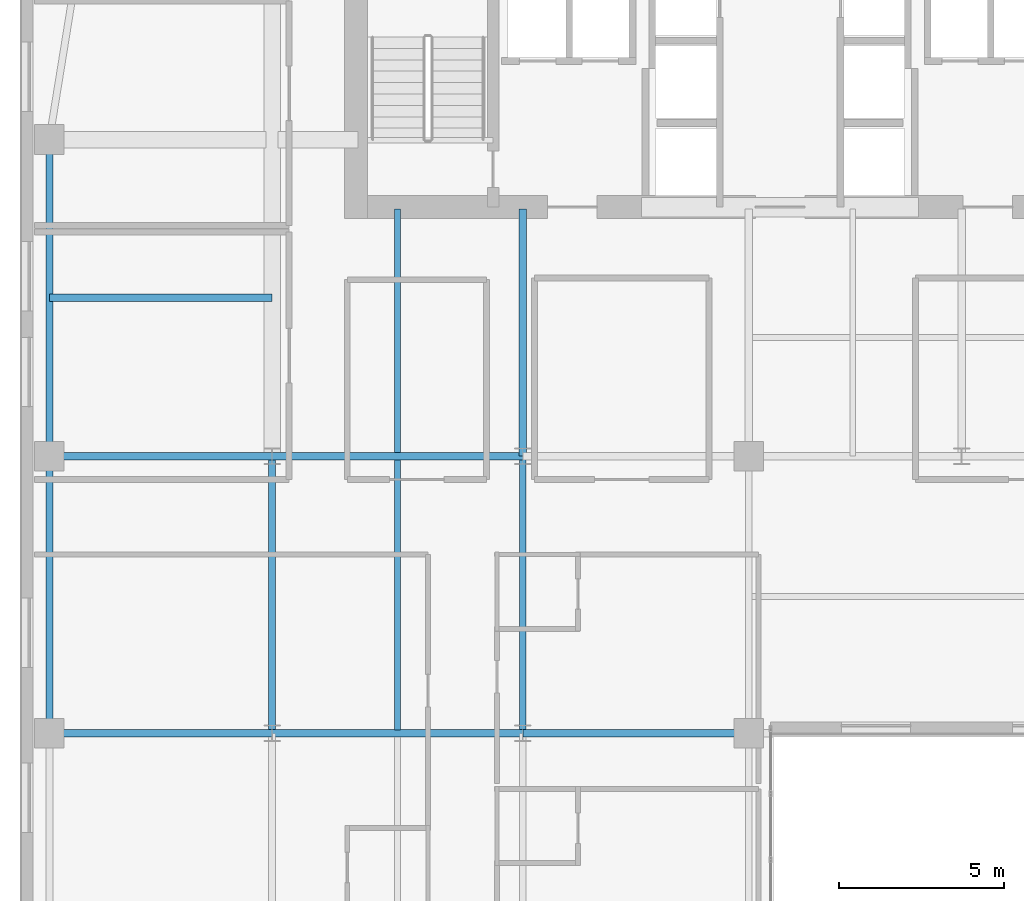
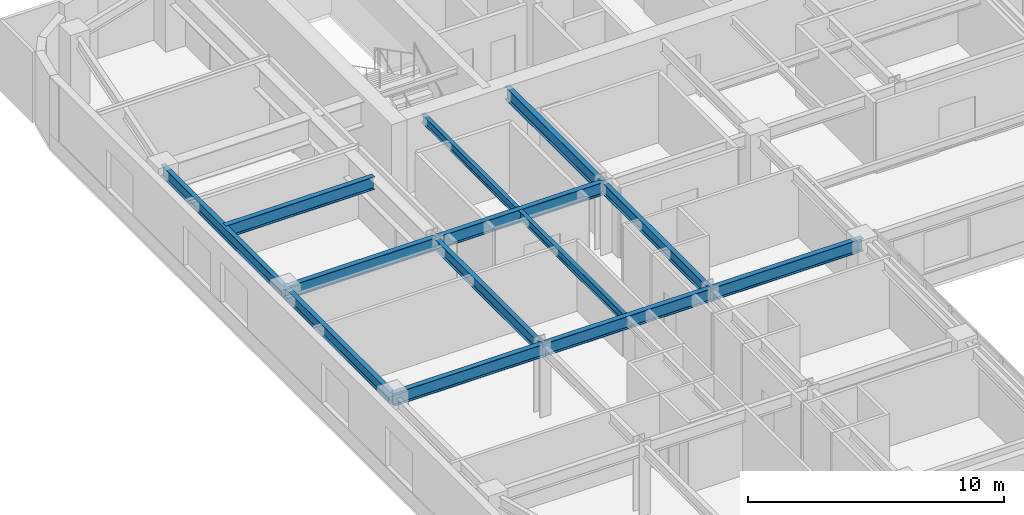
# One storey, part 4 of 24: 13 beams.
"""IFC4 building model written with IfcOpenShell, lengths in metres."""

from ifc_helpers import new_model, si_unit, direction, frame, origin, origin_2d, place, context, subcontext, project, spatial, i_section, extrude, source, transform, mapped, material, material_profile, profile_set, type_object, type_shapes, element, save


model = new_model("IFC4")

# Units and contexts
model_context = context("Model", 3, precision=1e-05, world=origin(), true_north=direction((0.0, 1.0)))
body_context = subcontext(model_context, "Body", "Model", "MODEL_VIEW")
ifc_project = project(units=[si_unit("LENGTHUNIT", "METRE"), si_unit("AREAUNIT", "SQUARE_METRE"), si_unit("VOLUMEUNIT", "CUBIC_METRE"), si_unit("PLANEANGLEUNIT", "RADIAN"), si_unit("MASSUNIT", "GRAM", prefix="KILO")], contexts=[model_context])

# Site, building, storey
site_placement = place(None, origin())
site = spatial("IfcSite", under=ifc_project, at=site_placement, CompositionType="ELEMENT")
building_placement = place(site_placement, origin())
building = spatial("IfcBuilding", under=site, at=building_placement, Name="Tolvann Quenvar Hotel", CompositionType="ELEMENT")
storey_placement = place(building_placement, frame((0.0, 0.0, 139.949951171875)))
storey = spatial("IfcBuildingStorey", under=building, at=storey_placement, Name="L36", CompositionType="ELEMENT", Elevation=139.949951171875)

# Beams
ifc_material = material(Name="Steel Grade 350", Category="steel")
ifc_material_profile_1 = material_profile(ifc_material, i_section(OverallWidth=0.22900390625, OverallDepth=0.612060546875, WebThickness=0.011962890625, FlangeThickness=0.01953125, FilletRadius=0.013916015625, at=origin_2d()), Name="610UB125")
ifc_profile_set_1 = profile_set([ifc_material_profile_1], Name="Steel Grade 350")
beam_type_1 = type_object("IfcBeamType", Name="BM_GIRD_610UB125", PredefinedType="BEAM", material=ifc_profile_set_1)
shared_shape_1 = source(origin(), body_context, "Body", "SweptSolid", [
    extrude(i_section(OverallWidth=0.22900390625, OverallDepth=0.612060546875, WebThickness=0.011962890625, FlangeThickness=0.01953125, FilletRadius=0.013916015625, at=origin_2d()), origin(), (0.0, 0.0, 1.0), 6.75),
])
for number, where, z_axis, x_axis, name in (
    (1, (0.85009765625, 16.0, 3.06396484375), (1.0, 0.0, 0.0), (0.0, 1.0, 0.0), "BM-L36-EW-4-B4-C4"),
    (2, (0.85009765625, 24.39990234375, 3.06396484375), (1.0, 0.0, 0.0), (0.0, 1.0, 0.0), "BM-L36-EW-5-B5-C5"),
    (3, (0.85009765625, 29.199951171875, 3.06396484375), (1.0, 0.0, 0.0), (0.0, 1.0, 0.0), "BM-L36-EW-BC29"),
):
    element("IfcBeam", number, at=place(storey_placement, frame(where, z_axis=z_axis, x_axis=x_axis)), inside=storey, type_object=beam_type_1, Name=name, PredefinedType="BEAM", context=body_context, shape_type="MappedRepresentation", body=[
        mapped(shared_shape_1, transform((0.0, 0.0, 0.0), x_axis=(1.0, 0.0, 0.0), y_axis=(0.0, 1.0, 0.0), z_axis=(0.0, 0.0, 1.0), scale=1.0)),
    ])
shared_shape_2 = source(origin(), body_context, "Body", "SweptSolid", [
    extrude(i_section(OverallWidth=0.22900390625, OverallDepth=0.612060546875, WebThickness=0.011962890625, FlangeThickness=0.01953125, FilletRadius=0.013916015625, at=origin_2d()), origin(), (0.0, 0.0, 1.0), 7.599853515625),
])
for number, where, z_axis, x_axis, name in (
    (4, (7.60009765625, 16.0, 3.06396484375), (1.0, 0.0, 0.0), (0.0, 1.0, 0.0), "BM-L36-EW-4-C4-D4"),
    (5, (7.60009765625, 24.39990234375, 3.06396484375), (1.0, 0.0, 0.0), (0.0, 1.0, 0.0), "BM-L36-EW-5-C5-D5"),
):
    element("IfcBeam", number, at=place(storey_placement, frame(where, z_axis=z_axis, x_axis=x_axis)), inside=storey, type_object=beam_type_1, Name=name, PredefinedType="BEAM", context=body_context, shape_type="MappedRepresentation", body=[
        mapped(shared_shape_2, transform((0.0, 0.0, 0.0), x_axis=(1.0, 0.0, 0.0), y_axis=(0.0, 1.0, 0.0), z_axis=(0.0, 0.0, 1.0), scale=1.0)),
    ])
shared_shape_3 = source(origin(), body_context, "Body", "SweptSolid", [
    extrude(i_section(OverallWidth=0.22900390625, OverallDepth=0.612060546875, WebThickness=0.011962890625, FlangeThickness=0.01953125, FilletRadius=0.013916015625, at=origin_2d()), origin(), (0.0, 0.0, 1.0), 6.85009765625),
])
beam_1_placement = place(storey_placement, frame((15.199951171875, 16.0, 3.06396484375), z_axis=(1.0, 0.0, 0.0), x_axis=(0.0, 1.0, 0.0)))
element("IfcBeam", 6, at=beam_1_placement, inside=storey, type_object=beam_type_1, Name="BM-L36-EW-4-D4-E4", PredefinedType="BEAM", context=body_context, shape_type="MappedRepresentation", body=[
    mapped(shared_shape_3, transform((0.0, 0.0, 0.0), x_axis=(1.0, 0.0, 0.0), y_axis=(0.0, 1.0, 0.0), z_axis=(0.0, 0.0, 1.0), scale=1.0)),
])
ifc_material_profile_2 = material_profile(ifc_material, i_section(OverallWidth=0.208984375, OverallDepth=0.528076171875, WebThickness=0.009521484375, FlangeThickness=0.01318359375, FilletRadius=0.013916015625, at=origin_2d()), Name="530UB82")
ifc_profile_set_2 = profile_set([ifc_material_profile_2], Name="Steel Grade 350")
beam_type_2 = type_object("IfcBeamType", Name="BM_SPAND_530UB82", PredefinedType="SPANDREL", material=ifc_profile_set_2)
shared_shape_4 = source(origin(), body_context, "Body", "SweptSolid", [
    extrude(i_section(OverallWidth=0.208984375, OverallDepth=0.528076171875, WebThickness=0.009521484375, FlangeThickness=0.01318359375, FilletRadius=0.013916015625, at=origin_2d()), origin(), (0.0, 0.0, 1.0), 8.39990234375),
])
beam_2_placement = place(storey_placement, frame((0.85009765625, 16.0, 3.10595703125), z_axis=(0.0, 1.0, 0.0), x_axis=(-1.0, 0.0, 0.0)))
element("IfcBeam", 7, at=beam_2_placement, inside=storey, type_object=beam_type_2, Name="BM-L36-NS-B4-B5", PredefinedType="SPANDREL", context=body_context, shape_type="MappedRepresentation", body=[
    mapped(shared_shape_4, transform((0.0, 0.0, 0.0), x_axis=(1.0, 0.0, 0.0), y_axis=(0.0, 1.0, 0.0), z_axis=(0.0, 0.0, 1.0), scale=1.0)),
])
ifc_material_profile_3 = material_profile(ifc_material, i_section(OverallWidth=0.208984375, OverallDepth=0.532958984375, WebThickness=0.01025390625, FlangeThickness=0.015625, FilletRadius=0.013916015625, at=origin_2d()), Name="530UB92")
ifc_profile_set_3 = profile_set([ifc_material_profile_3], Name="Steel Grade 350")
beam_type_3 = type_object("IfcBeamType", Name="BM_GIRD_530UB92", PredefinedType="BEAM", material=ifc_profile_set_3)
shared_shape_5 = source(origin(), body_context, "Body", "SweptSolid", [
    extrude(i_section(OverallWidth=0.208984375, OverallDepth=0.532958984375, WebThickness=0.01025390625, FlangeThickness=0.015625, FilletRadius=0.013916015625, at=origin_2d()), origin(), (0.0, 0.0, 1.0), 8.39990234375),
])
type_shapes(beam_type_3, [shared_shape_5])
for number, where, z_axis, x_axis, name in (
    (8, (7.60009765625, 16.0, 3.103515625), (0.0, 1.0, 0.0), (-1.0, 0.0, 0.0), "BM-L36-NS-C4-C5"),
    (9, (15.199951171875, 16.0, 3.103515625), (0.0, 1.0, 0.0), (-1.0, 0.0, 0.0), "BM-L36-NS-D4-D5"),
):
    element("IfcBeam", number, at=place(storey_placement, frame(where, z_axis=z_axis, x_axis=x_axis)), inside=storey, type_object=beam_type_3, Name=name, PredefinedType="BEAM", context=body_context, shape_type="MappedRepresentation", body=[
        mapped(shared_shape_5, transform((0.0, 0.0, 0.0), x_axis=(1.0, 0.0, 0.0), y_axis=(0.0, 1.0, 0.0), z_axis=(0.0, 0.0, 1.0), scale=1.0)),
    ])
shared_shape_6 = source(origin(), body_context, "Body", "SweptSolid", [
    extrude(i_section(OverallWidth=0.22900390625, OverallDepth=0.612060546875, WebThickness=0.011962890625, FlangeThickness=0.01953125, FilletRadius=0.013916015625, at=origin_2d()), origin(), (0.0, 0.0, 1.0), 7.5),
])
type_shapes(beam_type_1, [shared_shape_1, shared_shape_2, shared_shape_3, shared_shape_6])
beam_3_placement = place(storey_placement, frame((15.199951171875, 24.39990234375, 3.06396484375), z_axis=(0.0, 1.0, 0.0), x_axis=(-1.0, 0.0, 0.0)))
element("IfcBeam", 10, at=beam_3_placement, inside=storey, type_object=beam_type_1, Name="BM-L36-CORE-D5", PredefinedType="BEAM", context=body_context, shape_type="MappedRepresentation", body=[
    mapped(shared_shape_6, transform((0.0, 0.0, 0.0), x_axis=(1.0, 0.0, 0.0), y_axis=(0.0, 1.0, 0.0), z_axis=(0.0, 0.0, 1.0), scale=1.0)),
])
shared_shape_7 = source(origin(), body_context, "Body", "SweptSolid", [
    extrude(i_section(OverallWidth=0.208984375, OverallDepth=0.528076171875, WebThickness=0.009521484375, FlangeThickness=0.01318359375, FilletRadius=0.013916015625, at=origin_2d()), origin(), (0.0, 0.0, 1.0), 9.60009765625),
])
type_shapes(beam_type_2, [shared_shape_4, shared_shape_7])
beam_4_placement = place(storey_placement, frame((0.85009765625, 24.39990234375, 3.10595703125), z_axis=(0.0, 1.0, 0.0), x_axis=(-1.0, 0.0, 0.0)))
element("IfcBeam", 11, at=beam_4_placement, inside=storey, type_object=beam_type_2, Name="BM-L36-FLK-W1", PredefinedType="SPANDREL", context=body_context, shape_type="MappedRepresentation", body=[
    mapped(shared_shape_7, transform((0.0, 0.0, 0.0), x_axis=(1.0, 0.0, 0.0), y_axis=(0.0, 1.0, 0.0), z_axis=(0.0, 0.0, 1.0), scale=1.0)),
])
ifc_material_profile_4 = material_profile(ifc_material, i_section(OverallWidth=0.177978515625, OverallDepth=0.406005859375, WebThickness=0.0078125, FlangeThickness=0.0126953125, FilletRadius=0.011474609375, at=origin_2d()), Name="410UB60")
ifc_profile_set_4 = profile_set([ifc_material_profile_4], Name="Steel Grade 350")
beam_type_4 = type_object("IfcBeamType", Name="BM_JOIST_410UB60", PredefinedType="JOIST", material=ifc_profile_set_4)
shared_shape_8 = source(origin(), body_context, "Body", "SweptSolid", [
    extrude(i_section(OverallWidth=0.177978515625, OverallDepth=0.406005859375, WebThickness=0.0078125, FlangeThickness=0.0126953125, FilletRadius=0.011474609375, at=origin_2d()), origin(), (0.0, 0.0, 1.0), 8.18310546875),
])
beam_5_placement = place(storey_placement, frame((11.39990234375, 16.1083984375, 3.1669921875), z_axis=(0.0, 1.0, 0.0), x_axis=(-1.0, 0.0, 0.0)))
element("IfcBeam", 12, at=beam_5_placement, inside=storey, type_object=beam_type_4, Name="BJ-L36-114-160", PredefinedType="JOIST", context=body_context, shape_type="MappedRepresentation", body=[
    mapped(shared_shape_8, transform((0.0, 0.0, 0.0), x_axis=(1.0, 0.0, 0.0), y_axis=(0.0, 1.0, 0.0), z_axis=(0.0, 0.0, 1.0), scale=1.0)),
])
shared_shape_9 = source(origin(), body_context, "Body", "SweptSolid", [
    extrude(i_section(OverallWidth=0.177978515625, OverallDepth=0.406005859375, WebThickness=0.0078125, FlangeThickness=0.0126953125, FilletRadius=0.011474609375, at=origin_2d()), origin(), (0.0, 0.0, 1.0), 7.391357421875),
])
type_shapes(beam_type_4, [shared_shape_8, shared_shape_9])
beam_6_placement = place(storey_placement, frame((11.39990234375, 24.508544921875, 3.1669921875), z_axis=(0.0, 1.0, 0.0), x_axis=(-1.0, 0.0, 0.0)))
element("IfcBeam", 13, at=beam_6_placement, inside=storey, type_object=beam_type_4, Name="BJ-L36-114-244", PredefinedType="JOIST", context=body_context, shape_type="MappedRepresentation", body=[
    mapped(shared_shape_9, transform((0.0, 0.0, 0.0), x_axis=(1.0, 0.0, 0.0), y_axis=(0.0, 1.0, 0.0), z_axis=(0.0, 0.0, 1.0), scale=1.0)),
])

save(model, "model.ifc")
